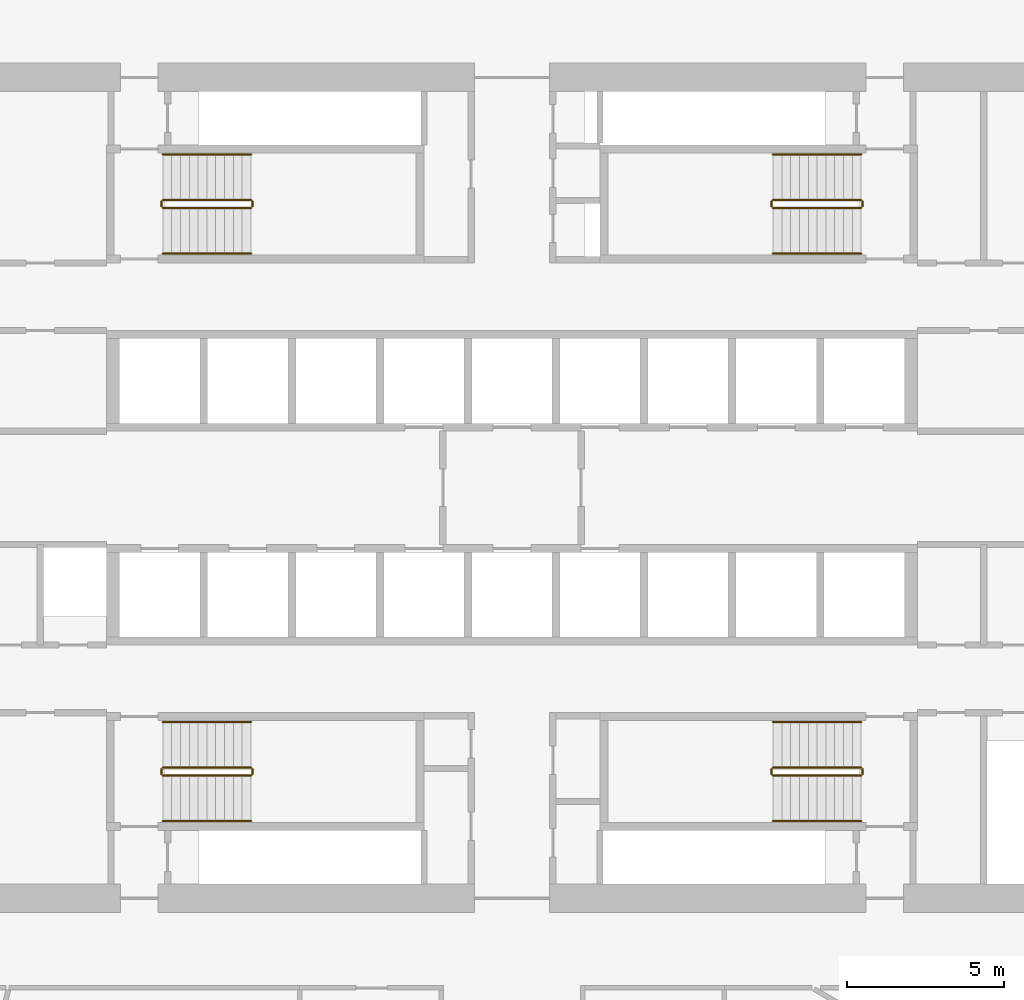
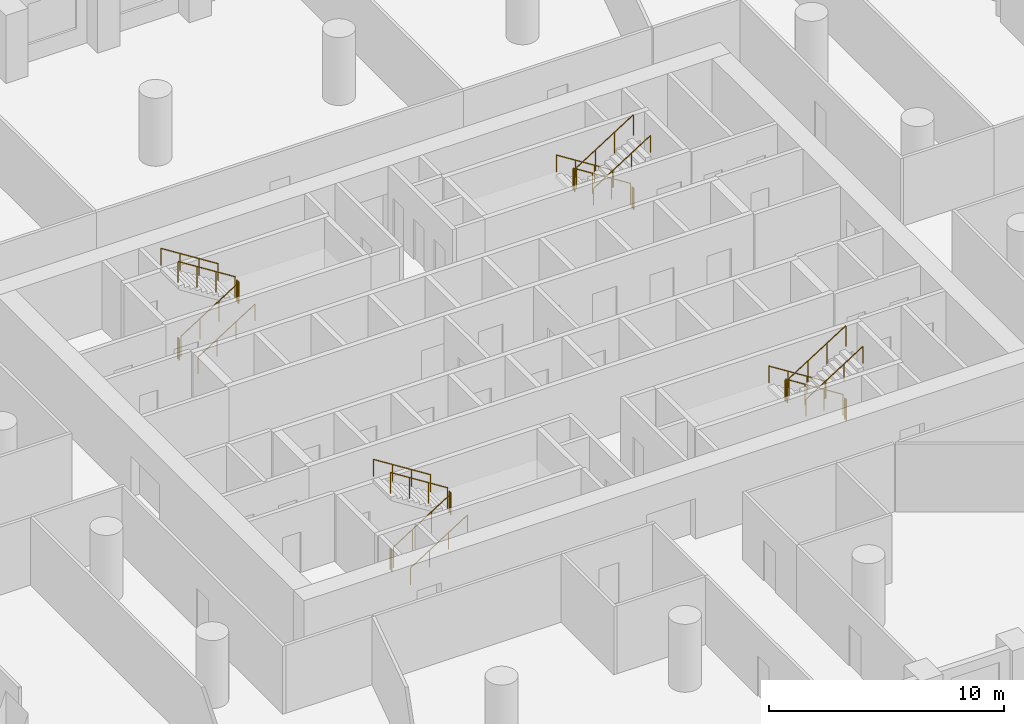
# One storey, part 10 of 10: 24 railings.
"""IFC4 building model written with IfcOpenShell, lengths in metres."""

from ifc_helpers import new_model, si_unit, direction, frame, origin, origin_2d, place, context, subcontext, project, spatial, circle, extrude, material, type_object, element, save


model = new_model("IFC4")

# Units and contexts
model_context = context("Model", 3, precision=1e-05, world=origin(), true_north=direction((0.0, 1.0)))
body_context = subcontext(model_context, "Body", "Model", "MODEL_VIEW")
ifc_project = project(units=[si_unit("LENGTHUNIT", "METRE"), si_unit("AREAUNIT", "SQUARE_METRE"), si_unit("VOLUMEUNIT", "CUBIC_METRE"), si_unit("PLANEANGLEUNIT", "RADIAN"), si_unit("MASSUNIT", "GRAM", prefix="KILO")], contexts=[model_context])

# Site, building, storey
site_placement = place(None, origin())
site = spatial("IfcSite", under=ifc_project, at=site_placement, CompositionType="ELEMENT")
building_placement = place(site_placement, origin())
building = spatial("IfcBuilding", under=site, at=building_placement, Name="Dhurran Vertical Campus", CompositionType="ELEMENT")
storey_placement = place(building_placement, frame((0.0, 0.0, 69.0)))
storey = spatial("IfcBuildingStorey", under=building, at=storey_placement, Name="L16", CompositionType="ELEMENT", Elevation=69.0)

# Railings
ifc_material_1 = material(Name="Stainless steel balustrade", Category="steel")
railing_type_1 = type_object("IfcRailingType", Name="co-RL-GUARD-1100", PredefinedType="GUARDRAIL", material=ifc_material_1)
railing_1_placement = place(storey_placement, frame((-11.10009765625, 8.89990234375, 0.17724609375)))
element("IfcRailing", 1, at=railing_1_placement, inside=storey, type_object=railing_type_1, Name="L16 ST1 stair guard 1", PredefinedType="GUARDRAIL", context=body_context, shape_type="SweptSolid", body=[
    extrude(circle(Radius=0.02392578125, at=origin_2d()), frame((0.0, 0.0, 1.076171875), z_axis=(0.844908973607, 0.0, 0.534910110503), x_axis=(0.0, 1.0, 0.0)), (0.0, 0.0, 1.0), 3.31396484375),
    extrude(circle(Radius=0.02099609375, at=origin_2d()), origin(), (0.0, 0.0, 1.0), 1.052001953125),
    extrude(circle(Radius=0.02099609375, at=origin_2d()), frame((0.933349609375, 0.0, 0.5908203125)), (0.0, 0.0, 1.0), 1.052001953125),
    extrude(circle(Radius=0.02099609375, at=origin_2d()), frame((1.86669921875, 0.0, 1.181884765625)), (0.0, 0.0, 1.0), 1.052001953125),
    extrude(circle(Radius=0.02099609375, at=origin_2d()), frame((2.800048828125, 0.0, 1.772705078125)), (0.0, 0.0, 1.0), 1.052001953125),
])
railing_2_placement = place(storey_placement, frame((-8.25, 8.949951171875, 1.949951171875)))
element("IfcRailing", 2, at=railing_2_placement, inside=storey, type_object=railing_type_1, Name="L16 ST1 stair guard 2", PredefinedType="GUARDRAIL", context=body_context, shape_type="SweptSolid", body=[
    extrude(circle(Radius=0.02392578125, at=origin_2d()), frame((0.0, 0.0, 1.076171875), z_axis=(0.0, 1.0, 0.0), x_axis=(-1.0, 0.0, 0.0)), (0.0, 0.0, 1.0), 0.150146484375),
    extrude(circle(Radius=0.02099609375, at=origin_2d()), origin(), (0.0, 0.0, 1.0), 1.052001953125),
    extrude(circle(Radius=0.02099609375, at=origin_2d()), frame((0.0, 0.150146484375, 0.0)), (0.0, 0.0, 1.0), 1.052001953125),
])
railing_3_placement = place(storey_placement, frame((-8.300048828125, 9.14990234375, 2.127197265625)))
element("IfcRailing", 3, at=railing_3_placement, inside=storey, type_object=railing_type_1, Name="L16 ST1 stair guard 3", PredefinedType="GUARDRAIL", context=body_context, shape_type="SweptSolid", body=[
    extrude(circle(Radius=0.02392578125, at=origin_2d()), frame((0.0, 0.0, 1.076171875), z_axis=(-0.844908973607, 0.0, 0.534910110503), x_axis=(0.0, -1.0, 0.0)), (0.0, 0.0, 1.0), 3.31396484375),
    extrude(circle(Radius=0.02099609375, at=origin_2d()), origin(), (0.0, 0.0, 1.0), 1.052001953125),
    extrude(circle(Radius=0.02099609375, at=origin_2d()), frame((-0.933349609375, 0.0, 0.5908203125)), (0.0, 0.0, 1.0), 1.052001953125),
    extrude(circle(Radius=0.02099609375, at=origin_2d()), frame((-1.86669921875, 0.0, 1.181884765625)), (0.0, 0.0, 1.0), 1.052001953125),
    extrude(circle(Radius=0.02099609375, at=origin_2d()), frame((-2.800048828125, 0.0, 1.772705078125)), (0.0, 0.0, 1.0), 1.052001953125),
])
railing_4_placement = place(storey_placement, frame((-11.14990234375, 8.949951171875, 0.0)))
element("IfcRailing", 4, at=railing_4_placement, inside=storey, type_object=railing_type_1, Name="L16 ST1 stair guard 4", PredefinedType="GUARDRAIL", context=body_context, shape_type="SweptSolid", body=[
    extrude(circle(Radius=0.02392578125, at=origin_2d()), frame((0.0, 0.0, 1.076171875), z_axis=(0.0, 1.0, 0.0), x_axis=(-1.0, 0.0, 0.0)), (0.0, 0.0, 1.0), 0.150146484375),
    extrude(circle(Radius=0.02099609375, at=origin_2d()), origin(), (0.0, 0.0, 1.0), 1.052001953125),
    extrude(circle(Radius=0.02099609375, at=origin_2d()), frame((0.0, 0.150146484375, 0.0)), (0.0, 0.0, 1.0), 1.052001953125),
])
railing_5_placement = place(storey_placement, frame((11.10009765625, 9.14990234375, 0.17724609375)))
element("IfcRailing", 5, at=railing_5_placement, inside=storey, type_object=railing_type_1, Name="L16 ST2 stair guard 1", PredefinedType="GUARDRAIL", context=body_context, shape_type="SweptSolid", body=[
    extrude(circle(Radius=0.02392578125, at=origin_2d()), frame((0.0, 0.0, 1.076171875), z_axis=(-0.844908973607, 0.0, 0.534910110503), x_axis=(0.0, -1.0, 0.0)), (0.0, 0.0, 1.0), 3.31396484375),
    extrude(circle(Radius=0.02099609375, at=origin_2d()), origin(), (0.0, 0.0, 1.0), 1.052001953125),
    extrude(circle(Radius=0.02099609375, at=origin_2d()), frame((-0.933349609375, 0.0, 0.5908203125)), (0.0, 0.0, 1.0), 1.052001953125),
    extrude(circle(Radius=0.02099609375, at=origin_2d()), frame((-1.86669921875, 0.0, 1.181884765625)), (0.0, 0.0, 1.0), 1.052001953125),
    extrude(circle(Radius=0.02099609375, at=origin_2d()), frame((-2.800048828125, 0.0, 1.772705078125)), (0.0, 0.0, 1.0), 1.052001953125),
])
railing_6_placement = place(storey_placement, frame((8.25, 9.10009765625, 1.949951171875)))
element("IfcRailing", 6, at=railing_6_placement, inside=storey, type_object=railing_type_1, Name="L16 ST2 stair guard 2", PredefinedType="GUARDRAIL", context=body_context, shape_type="SweptSolid", body=[
    extrude(circle(Radius=0.02392578125, at=origin_2d()), frame((0.0, 0.0, 1.076171875), z_axis=(0.0, -1.0, 0.0), x_axis=(1.0, 0.0, 0.0)), (0.0, 0.0, 1.0), 0.150146484375),
    extrude(circle(Radius=0.02099609375, at=origin_2d()), origin(), (0.0, 0.0, 1.0), 1.052001953125),
    extrude(circle(Radius=0.02099609375, at=origin_2d()), frame((0.0, -0.150146484375, 0.0)), (0.0, 0.0, 1.0), 1.052001953125),
])
railing_7_placement = place(storey_placement, frame((8.300048828125, 8.89990234375, 2.127197265625)))
element("IfcRailing", 7, at=railing_7_placement, inside=storey, type_object=railing_type_1, Name="L16 ST2 stair guard 3", PredefinedType="GUARDRAIL", context=body_context, shape_type="SweptSolid", body=[
    extrude(circle(Radius=0.02392578125, at=origin_2d()), frame((0.0, 0.0, 1.076171875), z_axis=(0.844908973607, 0.0, 0.534910110503), x_axis=(0.0, 1.0, 0.0)), (0.0, 0.0, 1.0), 3.31396484375),
    extrude(circle(Radius=0.02099609375, at=origin_2d()), origin(), (0.0, 0.0, 1.0), 1.052001953125),
    extrude(circle(Radius=0.02099609375, at=origin_2d()), frame((0.933349609375, 0.0, 0.5908203125)), (0.0, 0.0, 1.0), 1.052001953125),
    extrude(circle(Radius=0.02099609375, at=origin_2d()), frame((1.86669921875, 0.0, 1.181884765625)), (0.0, 0.0, 1.0), 1.052001953125),
    extrude(circle(Radius=0.02099609375, at=origin_2d()), frame((2.800048828125, 0.0, 1.772705078125)), (0.0, 0.0, 1.0), 1.052001953125),
])
railing_8_placement = place(storey_placement, frame((11.14990234375, 9.10009765625, 0.0)))
element("IfcRailing", 8, at=railing_8_placement, inside=storey, type_object=railing_type_1, Name="L16 ST2 stair guard 4", PredefinedType="GUARDRAIL", context=body_context, shape_type="SweptSolid", body=[
    extrude(circle(Radius=0.02392578125, at=origin_2d()), frame((0.0, 0.0, 1.076171875), z_axis=(0.0, -1.0, 0.0), x_axis=(1.0, 0.0, 0.0)), (0.0, 0.0, 1.0), 0.150146484375),
    extrude(circle(Radius=0.02099609375, at=origin_2d()), origin(), (0.0, 0.0, 1.0), 1.052001953125),
    extrude(circle(Radius=0.02099609375, at=origin_2d()), frame((0.0, -0.150146484375, 0.0)), (0.0, 0.0, 1.0), 1.052001953125),
])
railing_9_placement = place(storey_placement, frame((-11.10009765625, -9.14990234375, 0.17724609375)))
element("IfcRailing", 9, at=railing_9_placement, inside=storey, type_object=railing_type_1, Name="L16 ST3 stair guard 1", PredefinedType="GUARDRAIL", context=body_context, shape_type="SweptSolid", body=[
    extrude(circle(Radius=0.02392578125, at=origin_2d()), frame((0.0, 0.0, 1.076171875), z_axis=(0.844908973607, 0.0, 0.534910110503), x_axis=(0.0, 1.0, 0.0)), (0.0, 0.0, 1.0), 3.31396484375),
    extrude(circle(Radius=0.02099609375, at=origin_2d()), origin(), (0.0, 0.0, 1.0), 1.052001953125),
    extrude(circle(Radius=0.02099609375, at=origin_2d()), frame((0.933349609375, 0.0, 0.5908203125)), (0.0, 0.0, 1.0), 1.052001953125),
    extrude(circle(Radius=0.02099609375, at=origin_2d()), frame((1.86669921875, 0.0, 1.181884765625)), (0.0, 0.0, 1.0), 1.052001953125),
    extrude(circle(Radius=0.02099609375, at=origin_2d()), frame((2.800048828125, 0.0, 1.772705078125)), (0.0, 0.0, 1.0), 1.052001953125),
])
railing_10_placement = place(storey_placement, frame((-8.25, -9.10009765625, 1.949951171875)))
element("IfcRailing", 10, at=railing_10_placement, inside=storey, type_object=railing_type_1, Name="L16 ST3 stair guard 2", PredefinedType="GUARDRAIL", context=body_context, shape_type="SweptSolid", body=[
    extrude(circle(Radius=0.02392578125, at=origin_2d()), frame((0.0, 0.0, 1.076171875), z_axis=(0.0, 1.0, 0.0), x_axis=(-1.0, 0.0, 0.0)), (0.0, 0.0, 1.0), 0.150146484375),
    extrude(circle(Radius=0.02099609375, at=origin_2d()), origin(), (0.0, 0.0, 1.0), 1.052001953125),
    extrude(circle(Radius=0.02099609375, at=origin_2d()), frame((0.0, 0.150146484375, 0.0)), (0.0, 0.0, 1.0), 1.052001953125),
])
railing_11_placement = place(storey_placement, frame((-8.300048828125, -8.89990234375, 2.127197265625)))
element("IfcRailing", 11, at=railing_11_placement, inside=storey, type_object=railing_type_1, Name="L16 ST3 stair guard 3", PredefinedType="GUARDRAIL", context=body_context, shape_type="SweptSolid", body=[
    extrude(circle(Radius=0.02392578125, at=origin_2d()), frame((0.0, 0.0, 1.076171875), z_axis=(-0.844908973607, 0.0, 0.534910110503), x_axis=(0.0, -1.0, 0.0)), (0.0, 0.0, 1.0), 3.31396484375),
    extrude(circle(Radius=0.02099609375, at=origin_2d()), origin(), (0.0, 0.0, 1.0), 1.052001953125),
    extrude(circle(Radius=0.02099609375, at=origin_2d()), frame((-0.933349609375, 0.0, 0.5908203125)), (0.0, 0.0, 1.0), 1.052001953125),
    extrude(circle(Radius=0.02099609375, at=origin_2d()), frame((-1.86669921875, 0.0, 1.181884765625)), (0.0, 0.0, 1.0), 1.052001953125),
    extrude(circle(Radius=0.02099609375, at=origin_2d()), frame((-2.800048828125, 0.0, 1.772705078125)), (0.0, 0.0, 1.0), 1.052001953125),
])
railing_12_placement = place(storey_placement, frame((-11.14990234375, -9.10009765625, 0.0)))
element("IfcRailing", 12, at=railing_12_placement, inside=storey, type_object=railing_type_1, Name="L16 ST3 stair guard 4", PredefinedType="GUARDRAIL", context=body_context, shape_type="SweptSolid", body=[
    extrude(circle(Radius=0.02392578125, at=origin_2d()), frame((0.0, 0.0, 1.076171875), z_axis=(0.0, 1.0, 0.0), x_axis=(-1.0, 0.0, 0.0)), (0.0, 0.0, 1.0), 0.150146484375),
    extrude(circle(Radius=0.02099609375, at=origin_2d()), origin(), (0.0, 0.0, 1.0), 1.052001953125),
    extrude(circle(Radius=0.02099609375, at=origin_2d()), frame((0.0, 0.150146484375, 0.0)), (0.0, 0.0, 1.0), 1.052001953125),
])
railing_13_placement = place(storey_placement, frame((11.10009765625, -8.89990234375, 0.17724609375)))
element("IfcRailing", 13, at=railing_13_placement, inside=storey, type_object=railing_type_1, Name="L16 ST4 stair guard 1", PredefinedType="GUARDRAIL", context=body_context, shape_type="SweptSolid", body=[
    extrude(circle(Radius=0.02392578125, at=origin_2d()), frame((0.0, 0.0, 1.076171875), z_axis=(-0.844908973607, 0.0, 0.534910110503), x_axis=(0.0, -1.0, 0.0)), (0.0, 0.0, 1.0), 3.31396484375),
    extrude(circle(Radius=0.02099609375, at=origin_2d()), origin(), (0.0, 0.0, 1.0), 1.052001953125),
    extrude(circle(Radius=0.02099609375, at=origin_2d()), frame((-0.933349609375, 0.0, 0.5908203125)), (0.0, 0.0, 1.0), 1.052001953125),
    extrude(circle(Radius=0.02099609375, at=origin_2d()), frame((-1.86669921875, 0.0, 1.181884765625)), (0.0, 0.0, 1.0), 1.052001953125),
    extrude(circle(Radius=0.02099609375, at=origin_2d()), frame((-2.800048828125, 0.0, 1.772705078125)), (0.0, 0.0, 1.0), 1.052001953125),
])
railing_14_placement = place(storey_placement, frame((8.25, -8.949951171875, 1.949951171875)))
element("IfcRailing", 14, at=railing_14_placement, inside=storey, type_object=railing_type_1, Name="L16 ST4 stair guard 2", PredefinedType="GUARDRAIL", context=body_context, shape_type="SweptSolid", body=[
    extrude(circle(Radius=0.02392578125, at=origin_2d()), frame((0.0, 0.0, 1.076171875), z_axis=(0.0, -1.0, 0.0), x_axis=(1.0, 0.0, 0.0)), (0.0, 0.0, 1.0), 0.150146484375),
    extrude(circle(Radius=0.02099609375, at=origin_2d()), origin(), (0.0, 0.0, 1.0), 1.052001953125),
    extrude(circle(Radius=0.02099609375, at=origin_2d()), frame((0.0, -0.150146484375, 0.0)), (0.0, 0.0, 1.0), 1.052001953125),
])
railing_15_placement = place(storey_placement, frame((8.300048828125, -9.14990234375, 2.127197265625)))
element("IfcRailing", 15, at=railing_15_placement, inside=storey, type_object=railing_type_1, Name="L16 ST4 stair guard 3", PredefinedType="GUARDRAIL", context=body_context, shape_type="SweptSolid", body=[
    extrude(circle(Radius=0.02392578125, at=origin_2d()), frame((0.0, 0.0, 1.076171875), z_axis=(0.844908973607, 0.0, 0.534910110503), x_axis=(0.0, 1.0, 0.0)), (0.0, 0.0, 1.0), 3.31396484375),
    extrude(circle(Radius=0.02099609375, at=origin_2d()), origin(), (0.0, 0.0, 1.0), 1.052001953125),
    extrude(circle(Radius=0.02099609375, at=origin_2d()), frame((0.933349609375, 0.0, 0.5908203125)), (0.0, 0.0, 1.0), 1.052001953125),
    extrude(circle(Radius=0.02099609375, at=origin_2d()), frame((1.86669921875, 0.0, 1.181884765625)), (0.0, 0.0, 1.0), 1.052001953125),
    extrude(circle(Radius=0.02099609375, at=origin_2d()), frame((2.800048828125, 0.0, 1.772705078125)), (0.0, 0.0, 1.0), 1.052001953125),
])
railing_16_placement = place(storey_placement, frame((11.14990234375, -8.949951171875, 0.0)))
element("IfcRailing", 16, at=railing_16_placement, inside=storey, type_object=railing_type_1, Name="L16 ST4 stair guard 4", PredefinedType="GUARDRAIL", context=body_context, shape_type="SweptSolid", body=[
    extrude(circle(Radius=0.02392578125, at=origin_2d()), frame((0.0, 0.0, 1.076171875), z_axis=(0.0, -1.0, 0.0), x_axis=(1.0, 0.0, 0.0)), (0.0, 0.0, 1.0), 0.150146484375),
    extrude(circle(Radius=0.02099609375, at=origin_2d()), origin(), (0.0, 0.0, 1.0), 1.052001953125),
    extrude(circle(Radius=0.02099609375, at=origin_2d()), frame((0.0, -0.150146484375, 0.0)), (0.0, 0.0, 1.0), 1.052001953125),
])
ifc_material_2 = material(Name="Stainless steel handrail", Category="steel")
railing_type_2 = type_object("IfcRailingType", Name="co-RL-HANDRAIL-900", PredefinedType="HANDRAIL", material=ifc_material_2)
railing_17_placement = place(storey_placement, frame((-11.10009765625, 7.449951171875, 0.17724609375)))
element("IfcRailing", 17, at=railing_17_placement, inside=storey, type_object=railing_type_2, Name="L16 ST1 stair handrail 1", PredefinedType="HANDRAIL", context=body_context, shape_type="SweptSolid", body=[
    extrude(circle(Radius=0.02392578125, at=origin_2d()), frame((0.0, 0.0, 0.8759765625), z_axis=(0.844908973607, 0.0, 0.534910110503), x_axis=(0.0, 1.0, 0.0)), (0.0, 0.0, 1.0), 3.31396484375),
    extrude(circle(Radius=0.02099609375, at=origin_2d()), origin(), (0.0, 0.0, 1.0), 0.851806640625),
    extrude(circle(Radius=0.02099609375, at=origin_2d()), frame((0.933349609375, 0.0, 0.5908203125)), (0.0, 0.0, 1.0), 0.851806640625),
    extrude(circle(Radius=0.02099609375, at=origin_2d()), frame((1.86669921875, 0.0, 1.181884765625)), (0.0, 0.0, 1.0), 0.851806640625),
    extrude(circle(Radius=0.02099609375, at=origin_2d()), frame((2.800048828125, 0.0, 1.772705078125)), (0.0, 0.0, 1.0), 0.851806640625),
])
for number, where, name in (
    (18, (-8.300048828125, 10.60009765625, 2.127197265625), "L16 ST1 stair handrail 2"),
    (19, (11.10009765625, 10.60009765625, 0.17724609375), "L16 ST2 stair handrail 1"),
):
    element("IfcRailing", number, at=place(storey_placement, frame(where)), inside=storey, type_object=railing_type_2, Name=name, PredefinedType="HANDRAIL", context=body_context, shape_type="SweptSolid", body=[
        extrude(circle(Radius=0.02392578125, at=origin_2d()), frame((0.0, 0.0, 0.8759765625), z_axis=(-0.844908973607, 0.0, 0.534910110503), x_axis=(0.0, -1.0, 0.0)), (0.0, 0.0, 1.0), 3.31396484375),
        extrude(circle(Radius=0.02099609375, at=origin_2d()), origin(), (0.0, 0.0, 1.0), 0.851806640625),
        extrude(circle(Radius=0.02099609375, at=origin_2d()), frame((-0.933349609375, 0.0, 0.5908203125)), (0.0, 0.0, 1.0), 0.851806640625),
        extrude(circle(Radius=0.02099609375, at=origin_2d()), frame((-1.86669921875, 0.0, 1.181884765625)), (0.0, 0.0, 1.0), 0.851806640625),
        extrude(circle(Radius=0.02099609375, at=origin_2d()), frame((-2.800048828125, 0.0, 1.772705078125)), (0.0, 0.0, 1.0), 0.851806640625),
    ])
for number, where, name in (
    (20, (8.300048828125, 7.449951171875, 2.127197265625), "L16 ST2 stair handrail 2"),
    (21, (-11.10009765625, -10.60009765625, 0.17724609375), "L16 ST3 stair handrail 1"),
):
    element("IfcRailing", number, at=place(storey_placement, frame(where)), inside=storey, type_object=railing_type_2, Name=name, PredefinedType="HANDRAIL", context=body_context, shape_type="SweptSolid", body=[
        extrude(circle(Radius=0.02392578125, at=origin_2d()), frame((0.0, 0.0, 0.8759765625), z_axis=(0.844908973607, 0.0, 0.534910110503), x_axis=(0.0, 1.0, 0.0)), (0.0, 0.0, 1.0), 3.31396484375),
        extrude(circle(Radius=0.02099609375, at=origin_2d()), origin(), (0.0, 0.0, 1.0), 0.851806640625),
        extrude(circle(Radius=0.02099609375, at=origin_2d()), frame((0.933349609375, 0.0, 0.5908203125)), (0.0, 0.0, 1.0), 0.851806640625),
        extrude(circle(Radius=0.02099609375, at=origin_2d()), frame((1.86669921875, 0.0, 1.181884765625)), (0.0, 0.0, 1.0), 0.851806640625),
        extrude(circle(Radius=0.02099609375, at=origin_2d()), frame((2.800048828125, 0.0, 1.772705078125)), (0.0, 0.0, 1.0), 0.851806640625),
    ])
for number, where, name in (
    (22, (-8.300048828125, -7.449951171875, 2.127197265625), "L16 ST3 stair handrail 2"),
    (23, (11.10009765625, -7.449951171875, 0.17724609375), "L16 ST4 stair handrail 1"),
):
    element("IfcRailing", number, at=place(storey_placement, frame(where)), inside=storey, type_object=railing_type_2, Name=name, PredefinedType="HANDRAIL", context=body_context, shape_type="SweptSolid", body=[
        extrude(circle(Radius=0.02392578125, at=origin_2d()), frame((0.0, 0.0, 0.8759765625), z_axis=(-0.844908973607, 0.0, 0.534910110503), x_axis=(0.0, -1.0, 0.0)), (0.0, 0.0, 1.0), 3.31396484375),
        extrude(circle(Radius=0.02099609375, at=origin_2d()), origin(), (0.0, 0.0, 1.0), 0.851806640625),
        extrude(circle(Radius=0.02099609375, at=origin_2d()), frame((-0.933349609375, 0.0, 0.5908203125)), (0.0, 0.0, 1.0), 0.851806640625),
        extrude(circle(Radius=0.02099609375, at=origin_2d()), frame((-1.86669921875, 0.0, 1.181884765625)), (0.0, 0.0, 1.0), 0.851806640625),
        extrude(circle(Radius=0.02099609375, at=origin_2d()), frame((-2.800048828125, 0.0, 1.772705078125)), (0.0, 0.0, 1.0), 0.851806640625),
    ])
railing_18_placement = place(storey_placement, frame((8.300048828125, -10.60009765625, 2.127197265625)))
element("IfcRailing", 24, at=railing_18_placement, inside=storey, type_object=railing_type_2, Name="L16 ST4 stair handrail 2", PredefinedType="HANDRAIL", context=body_context, shape_type="SweptSolid", body=[
    extrude(circle(Radius=0.02392578125, at=origin_2d()), frame((0.0, 0.0, 0.8759765625), z_axis=(0.844908973607, 0.0, 0.534910110503), x_axis=(0.0, 1.0, 0.0)), (0.0, 0.0, 1.0), 3.31396484375),
    extrude(circle(Radius=0.02099609375, at=origin_2d()), origin(), (0.0, 0.0, 1.0), 0.851806640625),
    extrude(circle(Radius=0.02099609375, at=origin_2d()), frame((0.933349609375, 0.0, 0.5908203125)), (0.0, 0.0, 1.0), 0.851806640625),
    extrude(circle(Radius=0.02099609375, at=origin_2d()), frame((1.86669921875, 0.0, 1.181884765625)), (0.0, 0.0, 1.0), 0.851806640625),
    extrude(circle(Radius=0.02099609375, at=origin_2d()), frame((2.800048828125, 0.0, 1.772705078125)), (0.0, 0.0, 1.0), 0.851806640625),
])

save(model, "model.ifc")
